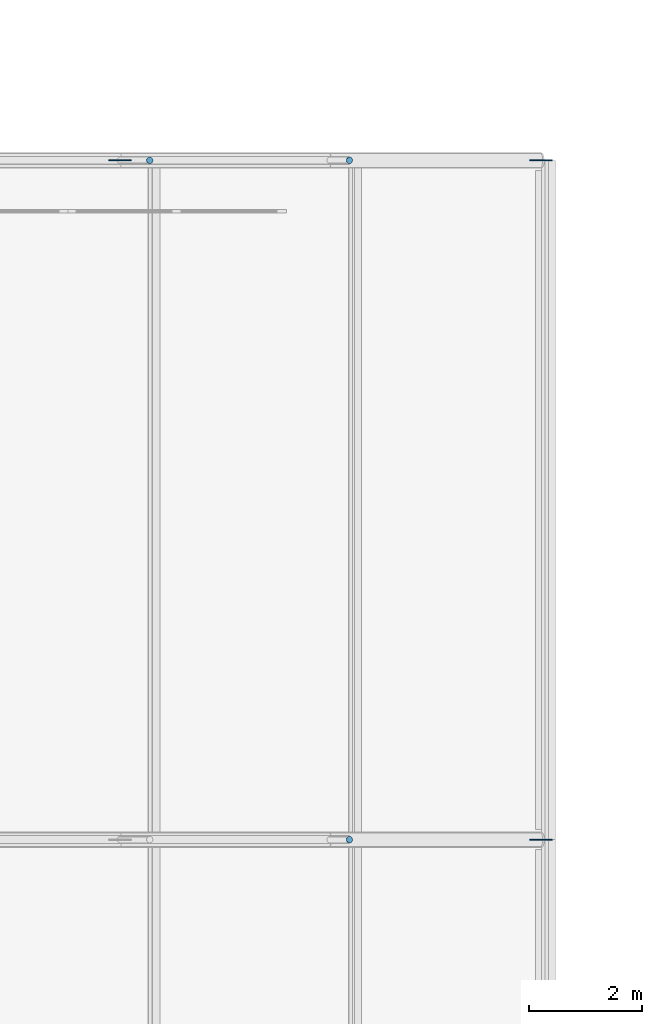
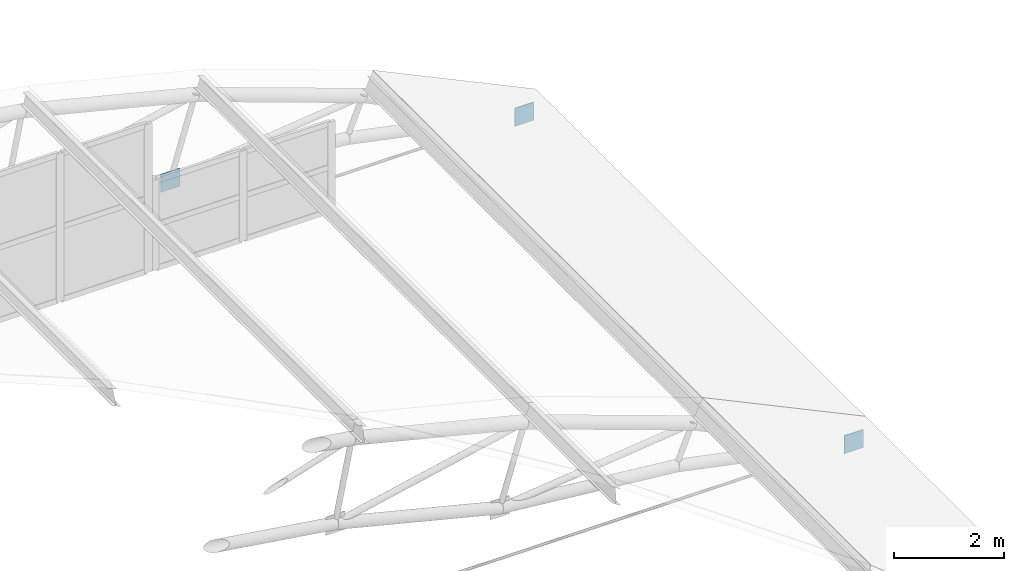
# One storey, part 310 of 321: 6 discrete accessories.
"""IFC4 building model written with IfcOpenShell, lengths in metres."""

from ifc_helpers import new_model, si_unit, direction, frame, origin, origin_2d, place, context, subcontext, project, spatial, rectangle, circle, extrude, material, material_profile, profile_set, type_object, element, save


model = new_model("IFC4")

# Units and contexts
model_context = context("Model", 3, precision=1e-05, world=origin(), true_north=direction((0.0, 1.0)))
body_context = subcontext(model_context, "Body", "Model", "MODEL_VIEW")
ifc_project = project(units=[si_unit("LENGTHUNIT", "METRE"), si_unit("AREAUNIT", "SQUARE_METRE"), si_unit("VOLUMEUNIT", "CUBIC_METRE"), si_unit("PLANEANGLEUNIT", "RADIAN"), si_unit("MASSUNIT", "GRAM", prefix="KILO")], contexts=[model_context])

# Site, building, storey
site_placement = place(None, origin())
site = spatial("IfcSite", under=ifc_project, at=site_placement, CompositionType="ELEMENT")
building_placement = place(site_placement, origin())
building = spatial("IfcBuilding", under=site, at=building_placement, Name="Ravi Spectrum Wholesale Market", CompositionType="ELEMENT")
storey_placement = place(building_placement, frame((0.0, 0.0, 10.800048828125)))
storey = spatial("IfcBuildingStorey", under=building, at=storey_placement, Name="L02", CompositionType="ELEMENT", Elevation=10.800048828125)

# Discrete accessories
ifc_material_1 = material(Name="Steel S355", Category="steel")
ifc_material_profile_1 = material_profile(ifc_material_1, circle(Radius=0.05712890625, at=origin_2d()))
ifc_profile_set_1 = profile_set([ifc_material_profile_1], Name="Steel S355")
discrete_accessory_type_1 = type_object("IfcDiscreteAccessoryType", Name="End plate CHS 114.3x4", PredefinedType="BRACKET", material=ifc_profile_set_1)
discrete_accessory_1_placement = place(storey_placement, frame((194.61181640625, 174.0, 1.59912109375), z_axis=(0.371390676354, 0.0, 0.928476690885), x_axis=(0.0, 1.0, 0.0)))
element("IfcDiscreteAccessory", 1, at=discrete_accessory_1_placement, inside=storey, type_object=discrete_accessory_type_1, Name="End plate", PredefinedType="BRACKET", context=body_context, shape_type="SweptSolid", body=[
    extrude(circle(Radius=0.05712890625, at=origin_2d()), origin(), (0.0, 0.0, 1.0), 0.01171875),
])
discrete_accessory_2_placement = place(storey_placement, frame((191.083251953125, 186.0, 2.859130859375), z_axis=(0.2854765866, 0.0, 0.958385683586), x_axis=(0.0, 1.0, 0.0)))
element("IfcDiscreteAccessory", 2, at=discrete_accessory_2_placement, inside=storey, type_object=discrete_accessory_type_1, Name="End plate", PredefinedType="BRACKET", context=body_context, shape_type="SweptSolid", body=[
    extrude(circle(Radius=0.05712890625, at=origin_2d()), origin(), (0.0, 0.0, 1.0), 0.011962890625),
])
discrete_accessory_3_placement = place(storey_placement, frame((194.61181640625, 186.0, 1.59912109375), z_axis=(0.371390676354, 0.0, 0.928476690885), x_axis=(0.0, 1.0, 0.0)))
element("IfcDiscreteAccessory", 3, at=discrete_accessory_3_placement, inside=storey, type_object=discrete_accessory_type_1, Name="End plate", PredefinedType="BRACKET", context=body_context, shape_type="SweptSolid", body=[
    extrude(circle(Radius=0.05712890625, at=origin_2d()), origin(), (0.0, 0.0, 1.0), 0.01171875),
])
ifc_material_2 = material(Name="Steel S355", Category="steel")
ifc_material_profile_2 = material_profile(ifc_material_2, rectangle(XDim=0.39990234375, YDim=0.02001953125, at=origin_2d()))
ifc_profile_set_2 = profile_set([ifc_material_profile_2], Name="Steel S355")
discrete_accessory_type_2 = type_object("IfcDiscreteAccessoryType", Name="Gusset plate 400x400x20", PredefinedType="BRACKET", material=ifc_profile_set_2)
for number, where, z_axis, x_axis, name in (
    (4, (190.561767578125, 186.0, 0.936279296875), (0.0, 0.0, 1.0), (-1.0, 0.0, 0.0), "Gusset plate"),
    (5, (198.0, 174.0, -0.199951171875), (0.0, 0.0, 1.0), (1.0, 0.0, 0.0), "Gusset plate"),
    (6, (198.0, 186.0, -0.199951171875), (0.0, 0.0, 1.0), (1.0, 0.0, 0.0), "Gusset plate"),
):
    element("IfcDiscreteAccessory", number, at=place(storey_placement, frame(where, z_axis=z_axis, x_axis=x_axis)), inside=storey, type_object=discrete_accessory_type_2, Name=name, PredefinedType="BRACKET", context=body_context, shape_type="SweptSolid", body=[
        extrude(rectangle(XDim=0.39990234375, YDim=0.02001953125, at=origin_2d()), origin(), (0.0, 0.0, 1.0), 0.39990234375),
    ])

save(model, "model.ifc")
